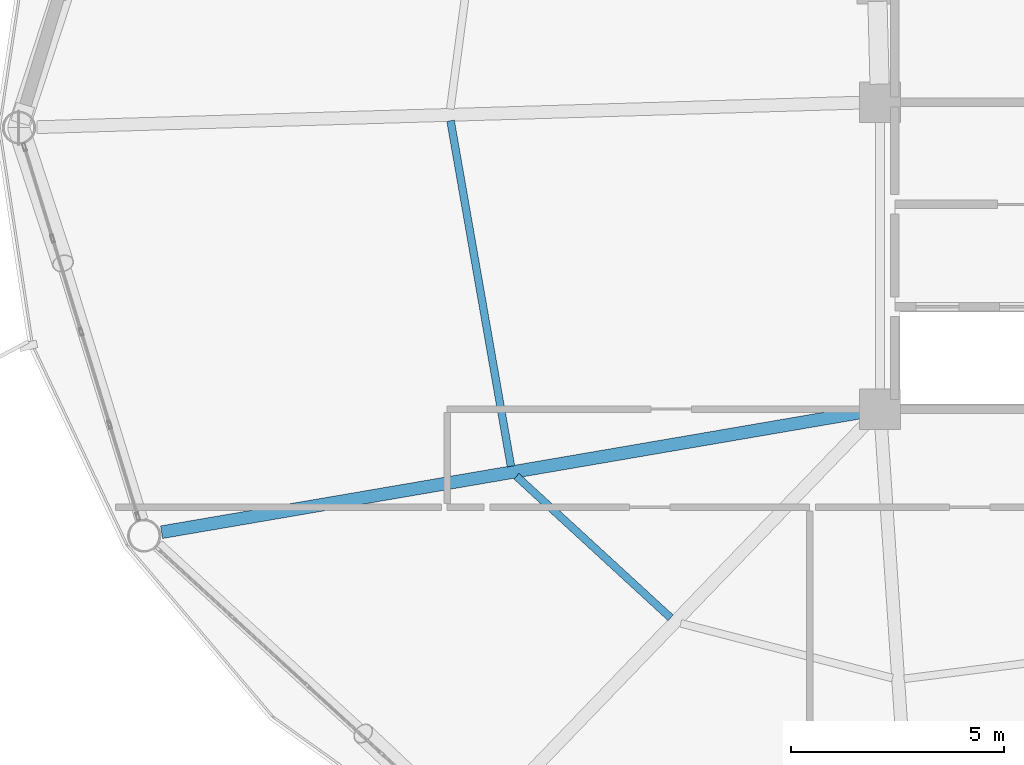
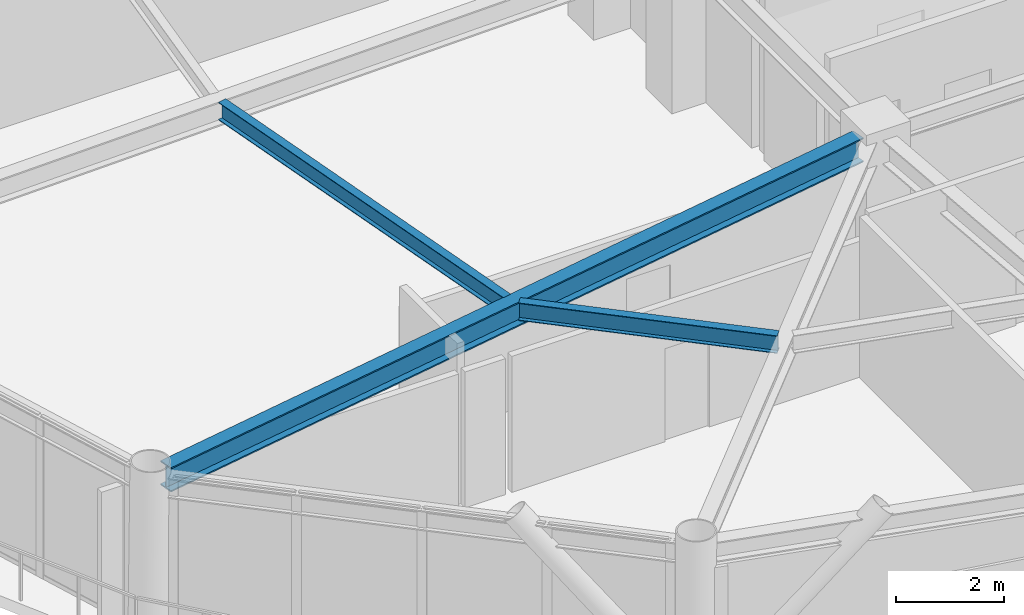
# One storey, part 6 of 27: 3 beams.
"""IFC4 building model written with IfcOpenShell, lengths in metres."""

from ifc_helpers import new_model, si_unit, direction, frame, origin, origin_2d, place, context, subcontext, project, spatial, i_section, extrude, material, material_profile, profile_set, type_object, element, save


model = new_model("IFC4")

# Units and contexts
model_context = context("Model", 3, precision=1e-05, world=origin(), true_north=direction((0.0, 1.0)))
body_context = subcontext(model_context, "Body", "Model", "MODEL_VIEW")
ifc_project = project(units=[si_unit("LENGTHUNIT", "METRE"), si_unit("AREAUNIT", "SQUARE_METRE"), si_unit("VOLUMEUNIT", "CUBIC_METRE"), si_unit("PLANEANGLEUNIT", "RADIAN"), si_unit("MASSUNIT", "GRAM", prefix="KILO")], contexts=[model_context])

# Site, building, storey
site_placement = place(None, origin())
site = spatial("IfcSite", under=ifc_project, at=site_placement, CompositionType="ELEMENT")
building_placement = place(site_placement, origin())
building = spatial("IfcBuilding", under=site, at=building_placement, Name="Varnakorn Sky Granary", CompositionType="ELEMENT")
storey_placement = place(building_placement, frame((0.0, 0.0, 134.39990234375)))
storey = spatial("IfcBuildingStorey", under=building, at=storey_placement, Name="L33", CompositionType="ELEMENT", Elevation=134.39990234375)

# Beams
ifc_material = material(Name="Steel S355JR", Category="steel")
ifc_material_profile_1 = material_profile(ifc_material, i_section(OverallWidth=0.300048828125, OverallDepth=0.550048828125, WebThickness=0.014892578125, FlangeThickness=0.029052734375, at=origin_2d()), Name="HE 550 B")
ifc_profile_set_1 = profile_set([ifc_material_profile_1], Name="Steel S355JR")
beam_type_1 = type_object("IfcBeamType", Name="BM-RAD-Z3", PredefinedType="BEAM", material=ifc_profile_set_1)
beam_1_placement = place(storey_placement, frame((-2.763916015625, -6.6708984375, 3.364990234375), z_axis=(-0.985636397786, -0.168881293692, 0.0), x_axis=(0.168881293692, -0.985636397786, 0.0)))
element("IfcBeam", 1, at=beam_1_placement, inside=storey, type_object=beam_type_1, Name="Radial Floor Girder RG08 L33", PredefinedType="BEAM", context=body_context, shape_type="SweptSolid", body=[
    extrude(i_section(OverallWidth=0.300048828125, OverallDepth=0.550048828125, WebThickness=0.014892578125, FlangeThickness=0.029052734375, at=origin_2d()), origin(), (0.0, 0.0, 1.0), 16.669677734375),
])
ifc_material_profile_2 = material_profile(ifc_material, i_section(OverallWidth=0.179931640625, OverallDepth=0.39990234375, WebThickness=0.008544921875, FlangeThickness=0.013427734375, at=origin_2d()), Name="IPE 400")
ifc_profile_set_2 = profile_set([ifc_material_profile_2], Name="Steel S355JR")
beam_type_2 = type_object("IfcBeamType", Name="BM-SEC-Z3", PredefinedType="BEAM", material=ifc_profile_set_2)
beam_2_placement = place(storey_placement, frame((-12.41943359375, 0.161376953125, 3.440185546875), z_axis=(0.17219168158, -0.985063462318, 0.0), x_axis=(0.985063462318, 0.17219168158, 0.0)))
element("IfcBeam", 2, at=beam_2_placement, inside=storey, type_object=beam_type_2, Name="Secondary Floor Chord Beam MSB07 L33", PredefinedType="BEAM", context=body_context, shape_type="SweptSolid", body=[
    extrude(i_section(OverallWidth=0.179931640625, OverallDepth=0.39990234375, WebThickness=0.008544921875, FlangeThickness=0.013427734375, at=origin_2d()), origin(), (0.0, 0.0, 1.0), 8.224853515625),
])
beam_3_placement = place(storey_placement, frame((-10.8759765625, -8.173095703125, 3.440185546875), z_axis=(0.736666870166, -0.676255811361, 0.0), x_axis=(0.676255811361, 0.736666870166, 0.0)))
element("IfcBeam", 3, at=beam_3_placement, inside=storey, type_object=beam_type_2, Name="Secondary Floor Chord Beam MSB08 L33", PredefinedType="BEAM", context=body_context, shape_type="SweptSolid", body=[
    extrude(i_section(OverallWidth=0.179931640625, OverallDepth=0.39990234375, WebThickness=0.008544921875, FlangeThickness=0.013427734375, at=origin_2d()), origin(), (0.0, 0.0, 1.0), 4.91015625),
])

save(model, "model.ifc")
